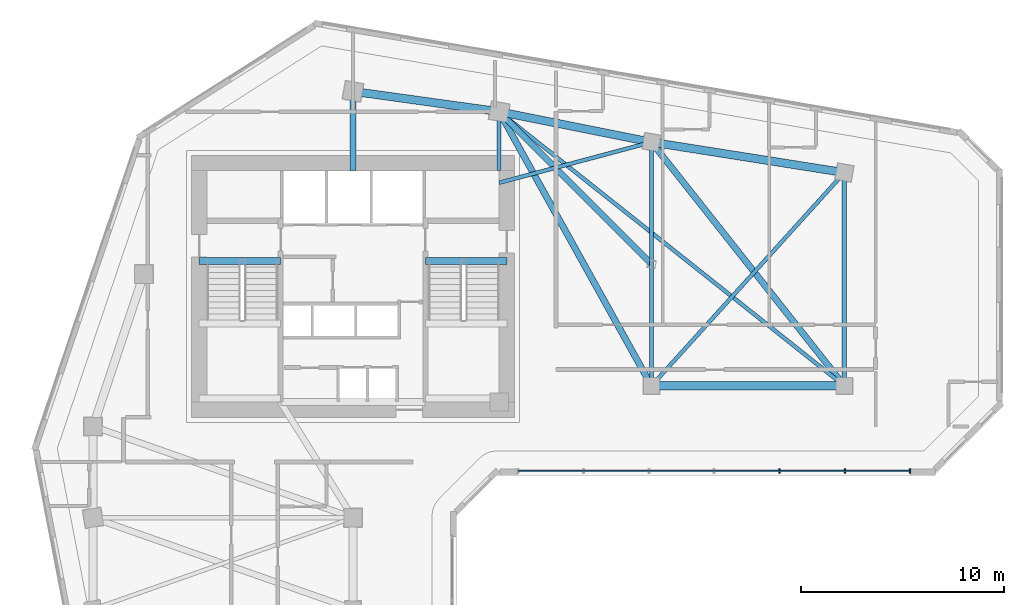
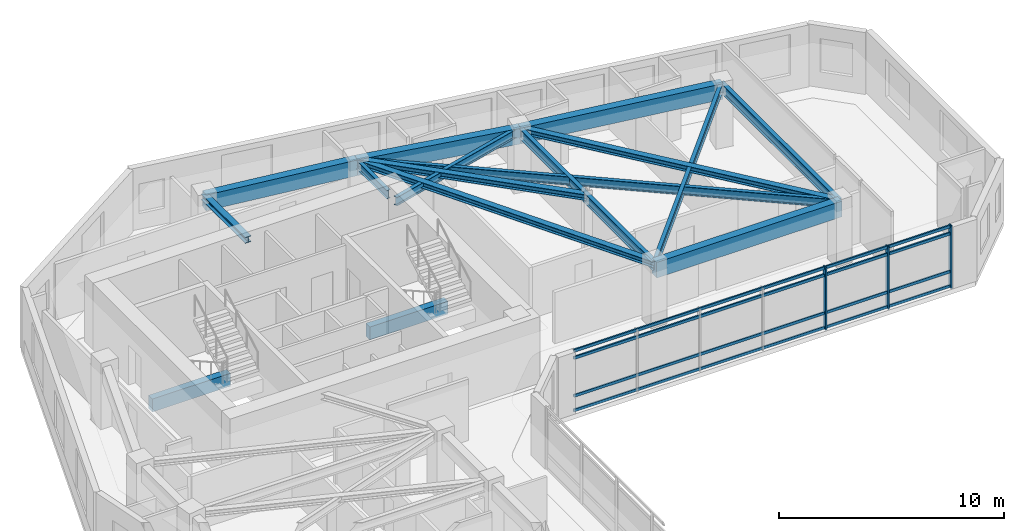
# One storey, part 3 of 11: 16 beams, 7 members, 1 element without a shape of its own.
"""IFC4 building model written with IfcOpenShell, lengths in metres."""

from ifc_helpers import new_model, si_unit, direction, frame, origin, origin_2d, place, context, subcontext, project, spatial, rectangle, i_section, extrude, source, transform, mapped, material, material_profile, profile_set, type_object, element, aggregate, save


model = new_model("IFC4")

# Units and contexts
model_context = context("Model", 3, precision=1e-05, world=origin(), true_north=direction((0.0, 1.0)))
body_context = subcontext(model_context, "Body", "Model", "MODEL_VIEW")
ifc_project = project(units=[si_unit("LENGTHUNIT", "METRE"), si_unit("AREAUNIT", "SQUARE_METRE"), si_unit("VOLUMEUNIT", "CUBIC_METRE"), si_unit("PLANEANGLEUNIT", "RADIAN"), si_unit("MASSUNIT", "GRAM", prefix="KILO")], contexts=[model_context])

# Site, building, storey
site_placement = place(None, origin())
site = spatial("IfcSite", under=ifc_project, at=site_placement, CompositionType="ELEMENT")
building_placement = place(site_placement, origin())
building = spatial("IfcBuilding", under=site, at=building_placement, Name="Calvemar Wedge Station Tower", CompositionType="ELEMENT")
storey_placement = place(building_placement, frame((0.0, 0.0, 117.800048828125)))
storey = spatial("IfcBuildingStorey", under=building, at=storey_placement, Name="L28", CompositionType="ELEMENT", Elevation=117.800048828125)

# Beams
ifc_material_1 = material(Name="Concrete C60", Category="concrete")
ifc_material_profile_1 = material_profile(ifc_material_1, rectangle(XDim=0.39990234375, YDim=0.85009765625, at=origin_2d()), Name="RC400x850")
ifc_profile_set_1 = profile_set([ifc_material_profile_1], Name="Concrete C60")
beam_type_1 = type_object("IfcBeamType", Name="BM-SP1-850", PredefinedType="SPANDREL", material=ifc_profile_set_1)
shared_shape_1 = source(origin(), body_context, "Body", "SweptSolid", [
    extrude(rectangle(XDim=0.39990234375, YDim=0.85009765625, at=origin_2d()), origin(), (0.0, 0.0, 1.0), 7.26904296875),
])
beam_1_placement = place(storey_placement, frame((23.800048828125, 49.5, 2.925048828125), z_axis=(0.990492146053, -0.13756928657, 0.0), x_axis=(0.13756928657, 0.990492146053, 0.0)))
element("IfcBeam", 1, at=beam_1_placement, inside=storey, type_object=beam_type_1, Name="Storey L28 Spandrel T-N1-T-N2", PredefinedType="SPANDREL", context=body_context, shape_type="MappedRepresentation", body=[
    mapped(shared_shape_1, transform((0.0, 0.0, 0.0), scale=1.0)),
])
shared_shape_2 = source(origin(), body_context, "Body", "SweptSolid", [
    extrude(rectangle(XDim=0.39990234375, YDim=0.85009765625, at=origin_2d()), origin(), (0.0, 0.0, 1.0), 7.6484375),
])
beam_2_placement = place(storey_placement, frame((31.0, 48.5, 2.925048828125), z_axis=(0.980580675691, -0.196116135138, 0.0), x_axis=(0.196116135138, 0.980580675691, 0.0)))
element("IfcBeam", 2, at=beam_2_placement, inside=storey, type_object=beam_type_1, Name="Storey L28 Spandrel T-N2-T-NU3", PredefinedType="SPANDREL", context=body_context, shape_type="MappedRepresentation", body=[
    mapped(shared_shape_2, transform((0.0, 0.0, 0.0), scale=1.0)),
])
shared_shape_3 = source(origin(), body_context, "Body", "SweptSolid", [
    extrude(rectangle(XDim=0.39990234375, YDim=0.85009765625, at=origin_2d()), origin(), (0.0, 0.0, 1.0), 9.61767578125),
])
beam_3_placement = place(storey_placement, frame((38.5, 47.0, 2.925048828125), z_axis=(0.987762965329, -0.155962573473, 0.0), x_axis=(0.155962573473, 0.987762965329, 0.0)))
element("IfcBeam", 3, at=beam_3_placement, inside=storey, type_object=beam_type_1, Name="Storey L28 Spandrel T-NU3-T-NU4", PredefinedType="SPANDREL", context=body_context, shape_type="MappedRepresentation", body=[
    mapped(shared_shape_3, transform((0.0, 0.0, 0.0), scale=1.0)),
])
shared_shape_4 = source(origin(), body_context, "Body", "SweptSolid", [
    extrude(rectangle(XDim=0.39990234375, YDim=0.85009765625, at=origin_2d()), origin(), (0.0, 0.0, 1.0), 9.5),
])
beam_4_placement = place(storey_placement, frame((38.5, 35.0, 2.925048828125), z_axis=(1.0, 0.0, 0.0), x_axis=(0.0, 1.0, 0.0)))
element("IfcBeam", 4, at=beam_4_placement, inside=storey, type_object=beam_type_1, Name="Storey L28 Spandrel T-NL2-T-NL3", PredefinedType="SPANDREL", context=body_context, shape_type="MappedRepresentation", body=[
    mapped(shared_shape_4, transform((0.0, 0.0, 0.0), scale=1.0)),
])
ifc_material_2 = material(Name="Structural steel ASTM A572 Grade 50", Category="steel")
ifc_material_profile_2 = material_profile(ifc_material_2, i_section(OverallWidth=0.30908203125, OverallDepth=0.322998046875, WebThickness=0.013916015625, FlangeThickness=0.02294921875, FilletRadius=0.014892578125, at=origin_2d()), Name="W310x143")
ifc_profile_set_2 = profile_set([ifc_material_profile_2], Name="Structural steel ASTM A572 Grade 50")
beam_type_2 = type_object("IfcBeamType", Name="BM-J5-W310H", PredefinedType="JOIST", material=ifc_profile_set_2)
shared_shape_5 = source(origin(), body_context, "Body", "SweptSolid", [
    extrude(i_section(OverallWidth=0.30908203125, OverallDepth=0.322998046875, WebThickness=0.013916015625, FlangeThickness=0.02294921875, FilletRadius=0.014892578125, at=origin_2d()), origin(), (0.0, 0.0, 1.0), 15.443359375),
])
beam_5_placement = place(storey_placement, frame((31.0, 48.5, 3.1884765625), z_axis=(0.485642931179, -0.874157276122, 0.0), x_axis=(0.874157276122, 0.485642931179, 0.0)))
element("IfcBeam", 5, at=beam_5_placement, inside=storey, type_object=beam_type_2, Name="Storey L28 Floor Beam T-N2-T-NL2", PredefinedType="JOIST", context=body_context, shape_type="MappedRepresentation", body=[
    mapped(shared_shape_5, transform((0.0, 0.0, 0.0), scale=1.0)),
])
ifc_material_profile_3 = material_profile(ifc_material_2, i_section(OverallWidth=0.19189453125, OverallDepth=0.462890625, WebThickness=0.010498046875, FlangeThickness=0.017578125, FilletRadius=0.012939453125, at=origin_2d()), Name="W460x89")
ifc_profile_set_3 = profile_set([ifc_material_profile_3], Name="Structural steel ASTM A572 Grade 50")
beam_type_3 = type_object("IfcBeamType", Name="BM-J1-W460", PredefinedType="JOIST", material=ifc_profile_set_3)
shared_shape_6 = source(origin(), body_context, "Body", "SweptSolid", [
    extrude(i_section(OverallWidth=0.19189453125, OverallDepth=0.462890625, WebThickness=0.010498046875, FlangeThickness=0.017578125, FilletRadius=0.012939453125, at=origin_2d()), origin(), (0.0, 0.0, 1.0), 21.708251953125),
])
beam_6_placement = place(storey_placement, frame((31.0, 48.5, 3.118408203125), z_axis=(0.783110847498, -0.621882143602, 0.0), x_axis=(0.621882143602, 0.783110847498, 0.0)))
element("IfcBeam", 6, at=beam_6_placement, inside=storey, type_object=beam_type_3, Name="Storey L28 Floor Beam T-N2-T-NL3", PredefinedType="JOIST", context=body_context, shape_type="MappedRepresentation", body=[
    mapped(shared_shape_6, transform((0.0, 0.0, 0.0), scale=1.0)),
])
shared_shape_7 = source(origin(), body_context, "Body", "SweptSolid", [
    extrude(i_section(OverallWidth=0.30908203125, OverallDepth=0.322998046875, WebThickness=0.013916015625, FlangeThickness=0.02294921875, FilletRadius=0.014892578125, at=origin_2d()), origin(), (0.0, 0.0, 1.0), 15.30517578125),
])
beam_7_placement = place(storey_placement, frame((38.5, 47.0, 3.1884765625), z_axis=(0.620702944366, -0.784045824462, 0.0), x_axis=(0.784045824462, 0.620702944366, 0.0)))
element("IfcBeam", 7, at=beam_7_placement, inside=storey, type_object=beam_type_2, Name="Storey L28 Floor Beam T-NU3-T-NL3", PredefinedType="JOIST", context=body_context, shape_type="MappedRepresentation", body=[
    mapped(shared_shape_7, transform((0.0, 0.0, 0.0), scale=1.0)),
])
shared_shape_8 = source(origin(), body_context, "Body", "SweptSolid", [
    extrude(i_section(OverallWidth=0.19189453125, OverallDepth=0.462890625, WebThickness=0.010498046875, FlangeThickness=0.017578125, FilletRadius=0.012939453125, at=origin_2d()), origin(), (0.0, 0.0, 1.0), 14.159912109375),
])
beam_8_placement = place(storey_placement, frame((38.5, 35.0, 3.118408203125), z_axis=(0.670913323969, 0.741535779124, 0.0), x_axis=(-0.741535779124, 0.670913323969, 0.0)))
element("IfcBeam", 8, at=beam_8_placement, inside=storey, type_object=beam_type_3, Name="Storey L28 Floor Beam T-NL2-T-NU4", PredefinedType="JOIST", context=body_context, shape_type="MappedRepresentation", body=[
    mapped(shared_shape_8, transform((0.0, 0.0, 0.0), scale=1.0)),
])
shared_shape_9 = source(origin(), body_context, "Body", "SweptSolid", [
    extrude(i_section(OverallWidth=0.19189453125, OverallDepth=0.462890625, WebThickness=0.010498046875, FlangeThickness=0.017578125, FilletRadius=0.012939453125, at=origin_2d()), origin(), (0.0, 0.0, 1.0), 7.76220703125),
])
beam_9_placement = place(storey_placement, frame((31.0, 45.0, 3.118408203125), z_axis=(0.966234939601, 0.25766265056, 0.0), x_axis=(-0.25766265056, 0.966234939601, 0.0)))
element("IfcBeam", 9, at=beam_9_placement, inside=storey, type_object=beam_type_3, Name="Storey L28 Core-to-Column Joist CJ-E2", PredefinedType="JOIST", context=body_context, shape_type="MappedRepresentation", body=[
    mapped(shared_shape_9, transform((0.0, 0.0, 0.0), scale=1.0)),
])
shared_shape_10 = source(origin(), body_context, "Body", "SweptSolid", [
    extrude(i_section(OverallWidth=0.30908203125, OverallDepth=0.322998046875, WebThickness=0.013916015625, FlangeThickness=0.02294921875, FilletRadius=0.014892578125, at=origin_2d()), origin(), (0.0, 0.0, 1.0), 3.89990234375),
])
beam_10_placement = place(storey_placement, frame((23.800048828125, 45.60009765625, 3.1884765625), z_axis=(0.0, 1.0, 0.0), x_axis=(-1.0, 0.0, 0.0)))
element("IfcBeam", 10, at=beam_10_placement, inside=storey, type_object=beam_type_2, Name="Storey L28 Core-to-Column Joist CJ-N1", PredefinedType="JOIST", context=body_context, shape_type="MappedRepresentation", body=[
    mapped(shared_shape_10, transform((0.0, 0.0, 0.0), scale=1.0)),
])
shared_shape_11 = source(origin(), body_context, "Body", "SweptSolid", [
    extrude(i_section(OverallWidth=0.19189453125, OverallDepth=0.462890625, WebThickness=0.010498046875, FlangeThickness=0.017578125, FilletRadius=0.012939453125, at=origin_2d()), origin(), (0.0, 0.0, 1.0), 2.89990234375),
])
beam_11_placement = place(storey_placement, frame((31.0, 45.60009765625, 3.118408203125), z_axis=(0.0, 1.0, 0.0), x_axis=(-1.0, 0.0, 0.0)))
element("IfcBeam", 11, at=beam_11_placement, inside=storey, type_object=beam_type_3, Name="Storey L28 Core-to-Column Joist CJ-N2", PredefinedType="JOIST", context=body_context, shape_type="MappedRepresentation", body=[
    mapped(shared_shape_11, transform((0.0, 0.0, 0.0), scale=1.0)),
])
ifc_material_3 = material(Name="Concrete C70", Category="concrete")
ifc_material_profile_4 = material_profile(ifc_material_3, rectangle(XDim=0.35009765625, YDim=0.699951171875, at=origin_2d()), Name="RC350x700")
ifc_profile_set_4 = profile_set([ifc_material_profile_4], Name="Concrete C70")
beam_type_4 = type_object("IfcBeamType", Name="BM-LN1-700", PredefinedType="LINTEL", material=ifc_profile_set_4)
shared_shape_12 = source(origin(), body_context, "Body", "SweptSolid", [
    extrude(rectangle(XDim=0.35009765625, YDim=0.699951171875, at=origin_2d()), origin(), (0.0, 0.0, 1.0), 4.0048828125),
])
for number, where, z_axis, x_axis, name in (
    (12, (16.22509765625, 41.14990234375, -0.35009765625), (1.0, 0.0, 0.0), (0.0, 1.0, 0.0), "Storey L28 Stair ST-C1 Landing Trimmer Beam"),
    (13, (27.3701171875, 41.14990234375, -0.35009765625), (1.0, 0.0, 0.0), (0.0, 1.0, 0.0), "Storey L28 Stair ST-C2 Landing Trimmer Beam"),
):
    element("IfcBeam", number, at=place(storey_placement, frame(where, z_axis=z_axis, x_axis=x_axis)), inside=storey, type_object=beam_type_4, Name=name, PredefinedType="LINTEL", context=body_context, shape_type="MappedRepresentation", body=[
        mapped(shared_shape_12, transform((0.0, 0.0, 0.0), scale=1.0)),
    ])
ifc_material_profile_5 = material_profile(ifc_material_2, i_section(OverallWidth=0.2109375, OverallDepth=0.5390625, WebThickness=0.01171875, FlangeThickness=0.018798828125, FilletRadius=0.012939453125, at=origin_2d()), Name="W530x109")
ifc_profile_set_5 = profile_set([ifc_material_profile_5], Name="Structural steel ASTM A572 Grade 50")
beam_type_5 = type_object("IfcBeamType", Name="BM-SB4-W530", PredefinedType="BEAM", material=ifc_profile_set_5)
shared_shape_13 = source(origin(), body_context, "Body", "SweptSolid", [
    extrude(i_section(OverallWidth=0.2109375, OverallDepth=0.5390625, WebThickness=0.01171875, FlangeThickness=0.018798828125, FilletRadius=0.012939453125, at=origin_2d()), origin(), (0.0, 0.0, 1.0), 12.0),
])
beam_12_placement = place(storey_placement, frame((38.5, 47.0, 3.08056640625), z_axis=(0.0, -1.0, 0.0), x_axis=(1.0, 0.0, 0.0)))
element("IfcBeam", 14, at=beam_12_placement, inside=storey, type_object=beam_type_5, Name="Storey L28 Floor Beam T-NU3-T-NL2", PredefinedType="BEAM", context=body_context, shape_type="MappedRepresentation", body=[
    mapped(shared_shape_13, transform((0.0, 0.0, 0.0), scale=1.0)),
])
shared_shape_14 = source(origin(), body_context, "Body", "SweptSolid", [
    extrude(i_section(OverallWidth=0.2109375, OverallDepth=0.5390625, WebThickness=0.01171875, FlangeThickness=0.018798828125, FilletRadius=0.012939453125, at=origin_2d()), origin(), (0.0, 0.0, 1.0), 10.5),
])
beam_13_placement = place(storey_placement, frame((48.0, 45.5, 3.08056640625), z_axis=(0.0, -1.0, 0.0), x_axis=(1.0, 0.0, 0.0)))
element("IfcBeam", 15, at=beam_13_placement, inside=storey, type_object=beam_type_5, Name="Storey L28 Floor Beam T-NU4-T-NL3", PredefinedType="BEAM", context=body_context, shape_type="MappedRepresentation", body=[
    mapped(shared_shape_14, transform((0.0, 0.0, 0.0), scale=1.0)),
])
shared_shape_15 = source(origin(), body_context, "Body", "SweptSolid", [
    extrude(i_section(OverallWidth=0.30908203125, OverallDepth=0.322998046875, WebThickness=0.013916015625, FlangeThickness=0.02294921875, FilletRadius=0.014892578125, at=origin_2d()), origin(), (0.0, 0.0, 1.0), 10.606689453125),
])
beam_14_placement = place(storey_placement, frame((38.5, 41.0, 3.1884765625), z_axis=(-0.707106781187, 0.707106781187, 0.0), x_axis=(-0.707106781187, -0.707106781187, 0.0)))
element("IfcBeam", 16, at=beam_14_placement, inside=storey, type_object=beam_type_2, Name="Storey L28 Floor Beam T-NTIP-B-T-N2", PredefinedType="JOIST", context=body_context, shape_type="MappedRepresentation", body=[
    mapped(shared_shape_15, transform((0.0, 0.0, 0.0), scale=1.0)),
])

# Curtain wall, members
ifc_material_4 = material(Name="Anodised aluminium 6063-T6", Category="aluminium")
curtain_wall_type = type_object("IfcCurtainWallType", Name="CW2", PredefinedType="NOTDEFINED", material=ifc_material_4)
curtain_wall_placement = place(storey_placement, origin())
curtain_wall = element("IfcCurtainWall", 17, at=curtain_wall_placement, inside=storey, type_object=curtain_wall_type, Name="Storey L28 CW2 Recessed Unitised Curtain Wall 6", PredefinedType="NOTDEFINED")
ifc_material_profile_6 = material_profile(ifc_material_4, rectangle(XDim=0.074951171875, YDim=0.219970703125, at=origin_2d()), Name="AL-MUL-75x220")
ifc_profile_set_6 = profile_set([ifc_material_profile_6], Name="Anodised aluminium 6063-T6")
member_type_1 = type_object("IfcMemberType", Name="CW2-MUL", PredefinedType="MULLION", material=ifc_profile_set_6)
shared_shape_16 = source(origin(), body_context, "Body", "SweptSolid", [
    extrude(rectangle(XDim=0.074951171875, YDim=0.219970703125, at=origin_2d()), origin(), (0.0, 0.0, 1.0), 3.39990234375),
])
member_1_placement = place(storey_placement, frame((44.80322265625, 30.802001953125, -0.050048828125), z_axis=(0.0, 0.0, 1.0), x_axis=(1.0, 0.0, 0.0)))
member_1 = element("IfcMember", 18, at=member_1_placement, type_object=member_type_1, Name="CW2 mullion 5", PredefinedType="MULLION", context=body_context, shape_type="MappedRepresentation", body=[
    mapped(shared_shape_16, transform((0.0, 0.0, 0.0), scale=1.0)),
])
member_2_placement = place(storey_placement, frame((48.0205078125, 30.802001953125, -0.050048828125), z_axis=(0.0, 0.0, 1.0), x_axis=(1.0, 0.0, 0.0)))
member_2 = element("IfcMember", 19, at=member_2_placement, type_object=member_type_1, Name="CW2 mullion 6", PredefinedType="MULLION", context=body_context, shape_type="MappedRepresentation", body=[
    mapped(shared_shape_16, transform((0.0, 0.0, 0.0), scale=1.0)),
])
member_3_placement = place(storey_placement, frame((51.23779296875, 30.802001953125, -0.050048828125), z_axis=(0.0, 0.0, 1.0), x_axis=(1.0, 0.0, 0.0)))
member_3 = element("IfcMember", 20, at=member_3_placement, type_object=member_type_1, Name="CW2 mullion 7", PredefinedType="MULLION", context=body_context, shape_type="MappedRepresentation", body=[
    mapped(shared_shape_16, transform((0.0, 0.0, 0.0), scale=1.0)),
])
ifc_material_profile_7 = material_profile(ifc_material_4, rectangle(XDim=0.074951171875, YDim=0.14990234375, at=origin_2d()), Name="AL-TRN-75x150")
ifc_profile_set_7 = profile_set([ifc_material_profile_7], Name="Anodised aluminium 6063-T6")
member_type_2 = type_object("IfcMemberType", Name="CW2-TRN", PredefinedType="USERDEFINED", material=ifc_profile_set_7)
shared_shape_17 = source(origin(), body_context, "Body", "SweptSolid", [
    extrude(rectangle(XDim=0.074951171875, YDim=0.14990234375, at=origin_2d()), origin(), (0.0, 0.0, 1.0), 19.303955078125),
])
member_4_placement = place(storey_placement, frame((31.933837890625, 30.802001953125, 0.06005859375), z_axis=(1.0, 0.0, 0.0), x_axis=(0.0, 1.0, 0.0)))
member_4 = element("IfcMember", 21, at=member_4_placement, type_object=member_type_2, Name="CW2 transom 1", ObjectType="TRANSOM", PredefinedType="USERDEFINED", context=body_context, shape_type="MappedRepresentation", body=[
    mapped(shared_shape_17, transform((0.0, 0.0, 0.0), scale=1.0)),
])
member_5_placement = place(storey_placement, frame((31.933837890625, 30.802001953125, 0.849853515625), z_axis=(1.0, 0.0, 0.0), x_axis=(0.0, 1.0, 0.0)))
member_5 = element("IfcMember", 22, at=member_5_placement, type_object=member_type_2, Name="CW2 transom 2", ObjectType="TRANSOM", PredefinedType="USERDEFINED", context=body_context, shape_type="MappedRepresentation", body=[
    mapped(shared_shape_17, transform((0.0, 0.0, 0.0), scale=1.0)),
])
member_6_placement = place(storey_placement, frame((31.933837890625, 30.802001953125, 2.89990234375), z_axis=(1.0, 0.0, 0.0), x_axis=(0.0, 1.0, 0.0)))
member_6 = element("IfcMember", 23, at=member_6_placement, type_object=member_type_2, Name="CW2 transom 3", ObjectType="TRANSOM", PredefinedType="USERDEFINED", context=body_context, shape_type="MappedRepresentation", body=[
    mapped(shared_shape_17, transform((0.0, 0.0, 0.0), scale=1.0)),
])
member_7_placement = place(storey_placement, frame((31.933837890625, 30.802001953125, 3.2900390625), z_axis=(1.0, 0.0, 0.0), x_axis=(0.0, 1.0, 0.0)))
member_7 = element("IfcMember", 24, at=member_7_placement, type_object=member_type_2, Name="CW2 transom 4", ObjectType="TRANSOM", PredefinedType="USERDEFINED", context=body_context, shape_type="MappedRepresentation", body=[
    mapped(shared_shape_17, transform((0.0, 0.0, 0.0), scale=1.0)),
])
aggregate(curtain_wall, [member_1, member_2, member_3, member_4, member_5, member_6, member_7])

save(model, "model.ifc")
